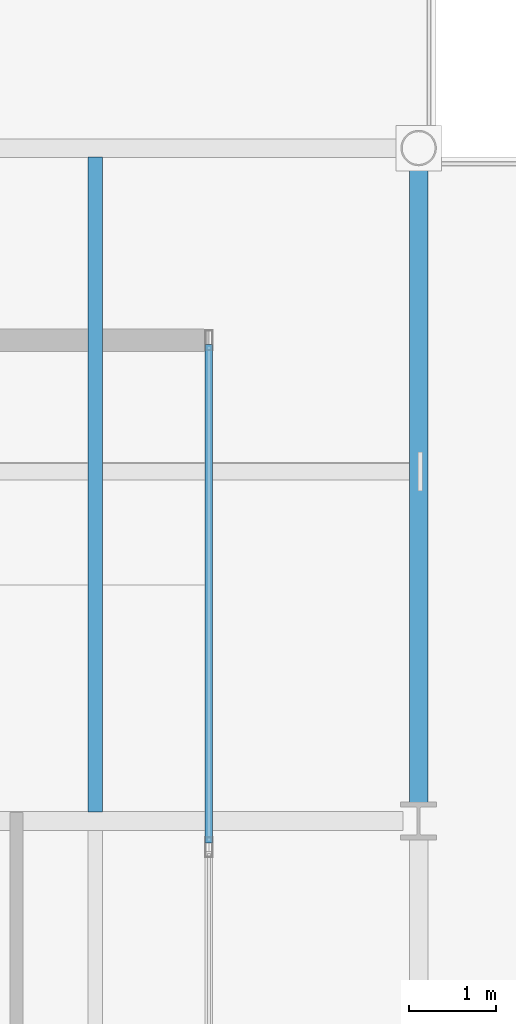
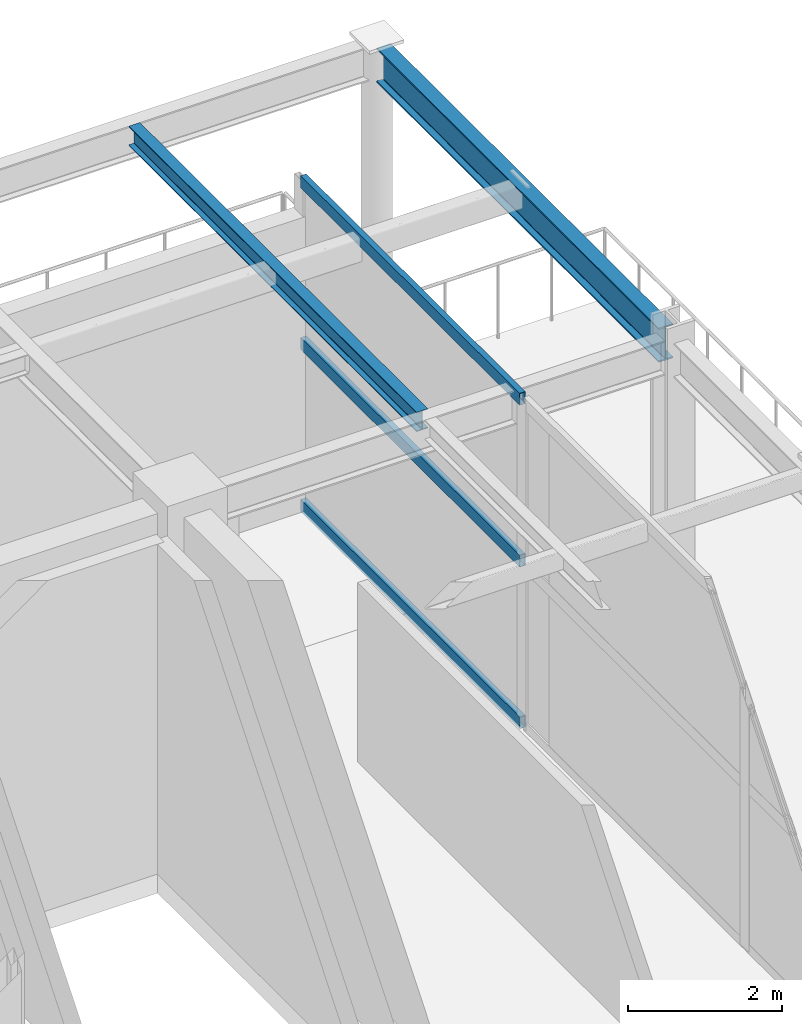
# One storey, part 8 of 16: 3 members, 2 beams, 1 element without a shape of its own.
"""IFC4 building model written with IfcOpenShell, lengths in metres."""

from ifc_helpers import new_model, si_unit, direction, frame, origin, origin_2d, place, context, subcontext, project, spatial, hollow_rectangle, i_section, extrude, material, material_profile, profile_set, type_object, element, aggregate, save


model = new_model("IFC4")

# Units and contexts
model_context = context("Model", 3, precision=1e-05, world=origin(), true_north=direction((0.0, 1.0)))
body_context = subcontext(model_context, "Body", "Model", "MODEL_VIEW")
ifc_project = project(units=[si_unit("LENGTHUNIT", "METRE"), si_unit("AREAUNIT", "SQUARE_METRE"), si_unit("VOLUMEUNIT", "CUBIC_METRE"), si_unit("PLANEANGLEUNIT", "RADIAN"), si_unit("MASSUNIT", "GRAM", prefix="KILO")], contexts=[model_context])

# Site, building, storey
site_placement = place(None, origin())
site = spatial("IfcSite", under=ifc_project, at=site_placement, CompositionType="ELEMENT")
building_placement = place(site_placement, origin())
building = spatial("IfcBuilding", under=site, at=building_placement, Name="Kovane Verandah Tower", CompositionType="ELEMENT")
storey_placement = place(building_placement, frame((0.0, 0.0, 354.300048828125)))
storey = spatial("IfcBuildingStorey", under=building, at=storey_placement, Name="L82", CompositionType="ELEMENT", Elevation=354.300048828125)

# Beam
ifc_material_1 = material(Name="Steel S355", Category="steel")
ifc_material_profile_1 = material_profile(ifc_material_1, i_section(OverallWidth=0.2119140625, OverallDepth=0.54443359375, WebThickness=0.0126953125, FlangeThickness=0.021240234375, FilletRadius=0.0126953125, at=origin_2d()), Name="UB533x210x122")
ifc_profile_set_1 = profile_set([ifc_material_profile_1], Name="Steel S355")
beam_type_1 = type_object("IfcBeamType", Name="BM-UB533x122", PredefinedType="BEAM", material=ifc_profile_set_1)
beam_1_placement = place(storey_placement, frame((58.39990234375, 36.679931640625, 4.9677734375), z_axis=(0.0, 1.0, 0.0), x_axis=(-1.0, 0.0, 0.0)))
element("IfcBeam", 1, at=beam_1_placement, inside=storey, type_object=beam_type_1, Name="L82 Primary Tower Girder G-RE3", PredefinedType="BEAM", context=body_context, shape_type="SweptSolid", body=[
    extrude(i_section(OverallWidth=0.2119140625, OverallDepth=0.54443359375, WebThickness=0.0126953125, FlangeThickness=0.021240234375, FilletRadius=0.0126953125, at=origin_2d()), origin(), (0.0, 0.0, 1.0), 7.340087890625),
])

# Curtain wall, members
ifc_material_2 = material(Name="Champagne Anodised Aluminium Frame with Low-E Clear Laminated Glass", Category="aluminium")
curtain_wall_type = type_object("IfcCurtainWallType", Name="CW-SYS-06-CROWN", PredefinedType="NOTDEFINED", material=ifc_material_2)
curtain_wall_placement = place(storey_placement, origin())
curtain_wall = element("IfcCurtainWall", 2, at=curtain_wall_placement, inside=storey, type_object=curtain_wall_type, Name="L82 Crown Enclosure Curtain Wall E", PredefinedType="NOTDEFINED")
ifc_material_3 = material(Name="Champagne Anodised Aluminium 6063-T6", Category="aluminium")
ifc_material_profile_2 = material_profile(ifc_material_3, hollow_rectangle(XDim=0.0849609375, YDim=0.18994140625, WallThickness=0.00390625, at=origin_2d()), Name="AL85x190x4")
ifc_profile_set_2 = profile_set([ifc_material_profile_2], Name="Champagne Anodised Aluminium 6063-T6")
member_type = type_object("IfcMemberType", Name="CW-TRN-85x190", PredefinedType="USERDEFINED", material=ifc_profile_set_2)
member_1_placement = place(storey_placement, frame((56.0, 36.25, 0.050048828125), z_axis=(0.0, 1.0, 0.0), x_axis=(-1.0, 0.0, 0.0)))
member_1 = element("IfcMember", 3, at=member_1_placement, type_object=member_type, Name="L82 Crown Enclosure Curtain Wall E Transom TB Bay 5", ObjectType="TRANSOM", PredefinedType="USERDEFINED", context=body_context, shape_type="SweptSolid", body=[
    extrude(hollow_rectangle(XDim=0.0849609375, YDim=0.18994140625, WallThickness=0.00390625, at=origin_2d()), origin(), (0.0, 0.0, 1.0), 5.699951171875),
])
member_2_placement = place(storey_placement, frame((56.0, 36.25, 2.619873046875), z_axis=(0.0, 1.0, 0.0), x_axis=(-1.0, 0.0, 0.0)))
member_2 = element("IfcMember", 4, at=member_2_placement, type_object=member_type, Name="L82 Crown Enclosure Curtain Wall E Transom TM Bay 5", ObjectType="TRANSOM", PredefinedType="USERDEFINED", context=body_context, shape_type="SweptSolid", body=[
    extrude(hollow_rectangle(XDim=0.0849609375, YDim=0.18994140625, WallThickness=0.00390625, at=origin_2d()), origin(), (0.0, 0.0, 1.0), 5.699951171875),
])
member_3_placement = place(storey_placement, frame((56.0, 36.25, 5.18994140625), z_axis=(0.0, 1.0, 0.0), x_axis=(-1.0, 0.0, 0.0)))
member_3 = element("IfcMember", 5, at=member_3_placement, type_object=member_type, Name="L82 Crown Enclosure Curtain Wall E Transom TT Bay 5", ObjectType="TRANSOM", PredefinedType="USERDEFINED", context=body_context, shape_type="SweptSolid", body=[
    extrude(hollow_rectangle(XDim=0.0849609375, YDim=0.18994140625, WallThickness=0.00390625, at=origin_2d()), origin(), (0.0, 0.0, 1.0), 5.699951171875),
])
aggregate(curtain_wall, [member_1, member_2, member_3])

# Beam
ifc_material_profile_3 = material_profile(ifc_material_1, i_section(OverallWidth=0.1669921875, OverallDepth=0.310302734375, WebThickness=0.0078125, FlangeThickness=0.013671875, FilletRadius=0.0087890625, at=origin_2d()), Name="UB305x165x54")
ifc_profile_set_3 = profile_set([ifc_material_profile_3], Name="Steel S355")
beam_type_2 = type_object("IfcBeamType", Name="JST-UB305x54", PredefinedType="JOIST", material=ifc_profile_set_3)
beam_2_placement = place(storey_placement, frame((54.699951171875, 36.60400390625, 5.084716796875), z_axis=(0.0, 1.0, 0.0), x_axis=(-1.0, 0.0, 0.0)))
element("IfcBeam", 6, at=beam_2_placement, inside=storey, type_object=beam_type_2, Name="L82 Secondary Composite Joist J-NE1", PredefinedType="JOIST", context=body_context, shape_type="SweptSolid", body=[
    extrude(i_section(OverallWidth=0.1669921875, OverallDepth=0.310302734375, WebThickness=0.0078125, FlangeThickness=0.013671875, FilletRadius=0.0087890625, at=origin_2d()), origin(), (0.0, 0.0, 1.0), 7.491943359375),
])

save(model, "model.ifc")
